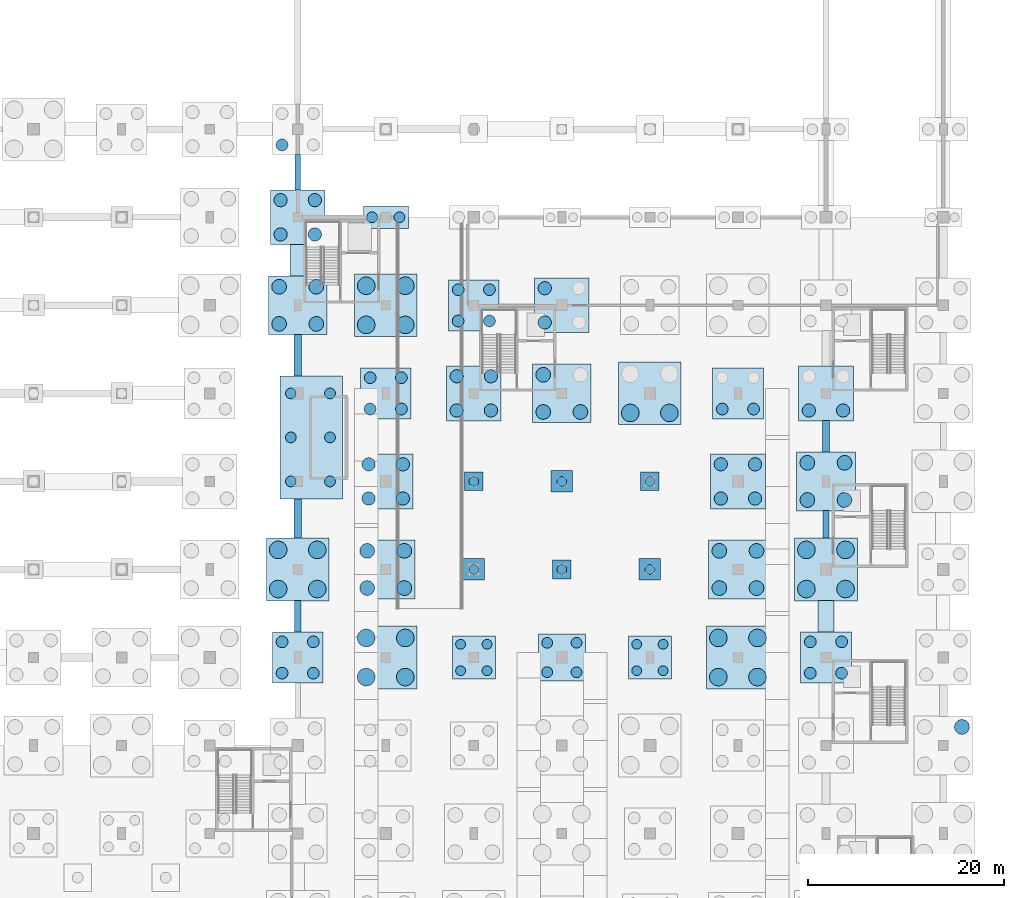
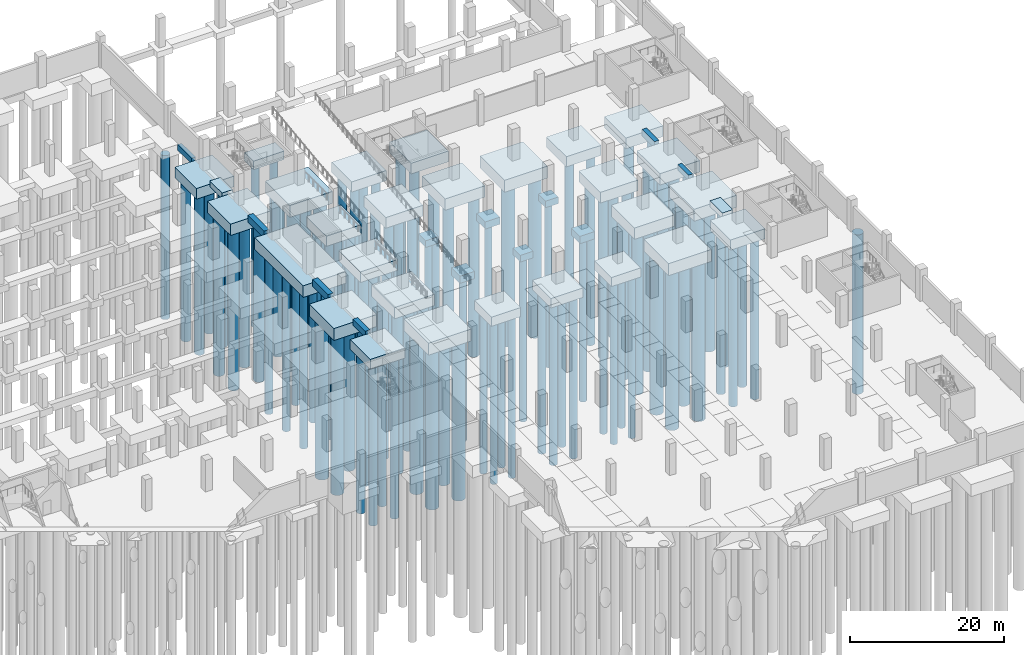
# One storey, part 9 of 37: 107 piles, 41 footings.
"""IFC4 building model written with IfcOpenShell, lengths in metres."""

from ifc_helpers import new_model, si_unit, direction, frame, origin, origin_2d, place, context, subcontext, project, spatial, rectangle, circle, extrude, material, material_profile, profile_set, type_object, element, save


model = new_model("IFC4")

# Units and contexts
model_context = context("Model", 3, precision=1e-05, world=origin(), true_north=direction((0.0, 1.0)))
body_context = subcontext(model_context, "Body", "Model", "MODEL_VIEW")
ifc_project = project(units=[si_unit("LENGTHUNIT", "METRE"), si_unit("AREAUNIT", "SQUARE_METRE"), si_unit("VOLUMEUNIT", "CUBIC_METRE"), si_unit("PLANEANGLEUNIT", "RADIAN"), si_unit("MASSUNIT", "GRAM", prefix="KILO")], contexts=[model_context])

# Site, building, storey
site_placement = place(None, origin())
site = spatial("IfcSite", under=ifc_project, at=site_placement, CompositionType="ELEMENT")
building_placement = place(site_placement, origin())
building = spatial("IfcBuilding", under=site, at=building_placement, Name="Barlavento Convention Centre", CompositionType="ELEMENT")
storey_placement = place(building_placement, frame((0.0, 0.0, -5.0)))
storey = spatial("IfcBuildingStorey", under=building, at=storey_placement, Name="B1", CompositionType="ELEMENT", Elevation=-5.0)

# Footings
ifc_material = material(Name="Concrete C40/50", Category="concrete")
footing_type_1 = type_object("IfcFootingType", Name="STR-FND-CORE-COMB", PredefinedType="PILE_CAP", material=ifc_material)
footing_1_placement = place(storey_placement, frame((127.39990234375, 85.5, -2.3701171875), z_axis=(0.0, 0.0, 1.0), x_axis=(1.0, 0.0, 0.0)))
element("IfcFooting", 1, at=footing_1_placement, inside=storey, type_object=footing_type_1, Name="Combined core and column foundation mat FND-CORE-C12", PredefinedType="PILE_CAP", context=body_context, shape_type="SweptSolid", body=[
    extrude(rectangle(XDim=6.39990234375, YDim=12.60009765625, at=origin_2d()), origin(), (0.0, 0.0, 1.0), 1.85009765625),
])
footing_type_2 = type_object("IfcFootingType", Name="STR-FND-GB-600X900", PredefinedType="FOOTING_BEAM", material=ifc_material)
footing_2_placement = place(storey_placement, frame((126.0, 112.60009765625, -0.89990234375), z_axis=(0.0, 0.0, 1.0), x_axis=(1.0, 0.0, 0.0)))
element("IfcFooting", 2, at=footing_2_placement, inside=storey, type_object=footing_type_2, Name="Ground tie footing GB01", PredefinedType="FOOTING_BEAM", context=body_context, shape_type="SweptSolid", body=[
    extrude(rectangle(XDim=0.60009765625, YDim=3.610107421875, at=origin_2d()), origin(), (0.0, 0.0, 1.0), 0.89990234375),
])
footing_3_placement = place(storey_placement, frame((180.0, 76.60009765625, -0.89990234375), z_axis=(0.0, 0.0, 1.0), x_axis=(1.0, 0.0, 0.0)))
element("IfcFooting", 3, at=footing_3_placement, inside=storey, type_object=footing_type_2, Name="Ground tie footing GB01", PredefinedType="FOOTING_BEAM", context=body_context, shape_type="SweptSolid", body=[
    extrude(rectangle(XDim=0.60009765625, YDim=2.81005859375, at=origin_2d()), origin(), (0.0, 0.0, 1.0), 0.89990234375),
])
footing_type_3 = type_object("IfcFootingType", Name="STR-FND-GB-700X1000", PredefinedType="FOOTING_BEAM", material=ifc_material)
for number, where, z_axis, x_axis, name in (
    (4, (126.0, 67.199951171875, -1.0), (0.0, 0.0, 1.0), (1.0, 0.0, 0.0), "Ground tie footing GB02"),
    (5, (180.0, 85.60009765625, -1.0), (0.0, 0.0, 1.0), (1.0, 0.0, 0.0), "Ground tie footing GB02"),
):
    element("IfcFooting", number, at=place(storey_placement, frame(where, z_axis=z_axis, x_axis=x_axis)), inside=storey, type_object=footing_type_3, Name=name, PredefinedType="FOOTING_BEAM", context=body_context, shape_type="SweptSolid", body=[
        extrude(rectangle(XDim=0.699951171875, YDim=3.2099609375, at=origin_2d()), origin(), (0.0, 0.0, 1.0), 1.0),
    ])
footing_type_4 = type_object("IfcFootingType", Name="STR-FND-GB-800X1100", PredefinedType="FOOTING_BEAM", material=ifc_material)
footing_4_placement = place(storey_placement, frame((126.0, 77.197509765625, -1.10009765625), z_axis=(0.0, 0.0, 1.0), x_axis=(1.0, 0.0, 0.0)))
element("IfcFooting", 6, at=footing_4_placement, inside=storey, type_object=footing_type_4, Name="Ground tie footing GB03", PredefinedType="FOOTING_BEAM", context=body_context, shape_type="SweptSolid", body=[
    extrude(rectangle(XDim=0.800048828125, YDim=4.0048828125, at=origin_2d()), origin(), (0.0, 0.0, 1.0), 1.10009765625),
])
footing_5_placement = place(storey_placement, frame((126.0, 93.902587890625, -1.10009765625), z_axis=(0.0, 0.0, 1.0), x_axis=(1.0, 0.0, 0.0)))
element("IfcFooting", 7, at=footing_5_placement, inside=storey, type_object=footing_type_4, Name="Ground tie footing GB03", PredefinedType="FOOTING_BEAM", context=body_context, shape_type="SweptSolid", body=[
    extrude(rectangle(XDim=0.800048828125, YDim=4.205078125, at=origin_2d()), origin(), (0.0, 0.0, 1.0), 1.10009765625),
])
footing_type_5 = type_object("IfcFootingType", Name="STR-FND-PC1-1900", PredefinedType="PILE_CAP", material=ifc_material)
for number, where, z_axis, x_axis, name in (
    (8, (144.0, 81.0, -1.56982421875), (0.0, 0.0, 1.0), (1.0, 0.0, 0.0), "Pile cap PC01 at 17-K"),
    (9, (153.0, 72.0, -1.56982421875), (0.0, 0.0, 1.0), (1.0, 0.0, 0.0), "Pile cap PC01 at 18-J"),
    (10, (162.0, 81.0, -1.56982421875), (0.0, 0.0, 1.0), (1.0, 0.0, 0.0), "Pile cap PC01 at 19-K"),
):
    element("IfcFooting", number, at=place(storey_placement, frame(where, z_axis=z_axis, x_axis=x_axis)), inside=storey, type_object=footing_type_5, Name=name, PredefinedType="PILE_CAP", context=body_context, shape_type="SweptSolid", body=[
        extrude(rectangle(XDim=1.89990234375, YDim=1.89990234375, at=origin_2d()), origin(), (0.0, 0.0, 1.0), 1.050048828125),
    ])
footing_type_6 = type_object("IfcFootingType", Name="STR-FND-PC1-2200", PredefinedType="PILE_CAP", material=ifc_material)
for number, where, z_axis, x_axis, name in (
    (11, (144.0, 72.0, -1.669921875), (0.0, 0.0, 1.0), (1.0, 0.0, 0.0), "Pile cap PC02 at 17-J"),
    (12, (153.0, 81.0, -1.669921875), (0.0, 0.0, 1.0), (1.0, 0.0, 0.0), "Pile cap PC02 at 18-K"),
    (13, (162.0, 72.0, -1.669921875), (0.0, 0.0, 1.0), (1.0, 0.0, 0.0), "Pile cap PC02 at 19-J"),
):
    element("IfcFooting", number, at=place(storey_placement, frame(where, z_axis=z_axis, x_axis=x_axis)), inside=storey, type_object=footing_type_6, Name=name, PredefinedType="PILE_CAP", context=body_context, shape_type="SweptSolid", body=[
        extrude(rectangle(XDim=2.199951171875, YDim=2.199951171875, at=origin_2d()), origin(), (0.0, 0.0, 1.0), 1.14990234375),
    ])
footing_type_7 = type_object("IfcFootingType", Name="STR-FND-PC2-4600X2300", PredefinedType="PILE_CAP", material=ifc_material)
footing_6_placement = place(storey_placement, frame((135.0, 108.0, -1.8701171875), z_axis=(0.0, 0.0, 1.0), x_axis=(1.0, 0.0, 0.0)))
element("IfcFooting", 14, at=footing_6_placement, inside=storey, type_object=footing_type_7, Name="Pile cap PC05 at 16-N", PredefinedType="PILE_CAP", context=body_context, shape_type="SweptSolid", body=[
    extrude(rectangle(XDim=4.60009765625, YDim=2.300048828125, at=origin_2d()), origin(), (0.0, 0.0, 1.0), 1.35009765625),
])
footing_type_8 = type_object("IfcFootingType", Name="STR-FND-PC4-4400", PredefinedType="PILE_CAP", material=ifc_material)
for number, where, z_axis, x_axis, name in (
    (15, (144.0, 63.0, -1.97021484375), (0.0, 0.0, 1.0), (1.0, 0.0, 0.0), "Pile cap PC07 at 17-H"),
    (16, (162.0, 63.0, -1.97021484375), (0.0, 0.0, 1.0), (1.0, 0.0, 0.0), "Pile cap PC07 at 19-H"),
):
    element("IfcFooting", number, at=place(storey_placement, frame(where, z_axis=z_axis, x_axis=x_axis)), inside=storey, type_object=footing_type_8, Name=name, PredefinedType="PILE_CAP", context=body_context, shape_type="SweptSolid", body=[
        extrude(rectangle(XDim=4.39990234375, YDim=4.39990234375, at=origin_2d()), origin(), (0.0, 0.0, 1.0), 1.449951171875),
    ])
footing_type_9 = type_object("IfcFootingType", Name="STR-FND-PC4-4800", PredefinedType="PILE_CAP", material=ifc_material)
footing_7_placement = place(storey_placement, frame((153.0, 63.0, -2.02001953125), z_axis=(0.0, 0.0, 1.0), x_axis=(1.0, 0.0, 0.0)))
element("IfcFooting", 17, at=footing_7_placement, inside=storey, type_object=footing_type_9, Name="Pile cap PC08 at 18-H", PredefinedType="PILE_CAP", context=body_context, shape_type="SweptSolid", body=[
    extrude(rectangle(XDim=4.800048828125, YDim=4.800048828125, at=origin_2d()), origin(), (0.0, 0.0, 1.0), 1.5),
])
footing_type_10 = type_object("IfcFootingType", Name="STR-FND-PC4-5200", PredefinedType="PILE_CAP", material=ifc_material)
for number, where, z_axis, x_axis, name in (
    (18, (126.0, 63.0, -2.1201171875), (0.0, 0.0, 1.0), (1.0, 0.0, 0.0), "Pile cap PC09 at 15-H"),
    (19, (135.0, 90.0, -2.1201171875), (0.0, 0.0, 1.0), (1.0, 0.0, 0.0), "Pile cap PC09 at 16-L"),
    (20, (144.0, 99.0, -2.1201171875), (0.0, 0.0, 1.0), (1.0, 0.0, 0.0), "Pile cap PC09 at 17-M"),
    (21, (171.0, 90.0, -2.1201171875), (0.0, 0.0, 1.0), (1.0, 0.0, 0.0), "Pile cap PC09 at 20-L"),
    (22, (180.0, 63.0, -2.1201171875), (0.0, 0.0, 1.0), (1.0, 0.0, 0.0), "Pile cap PC09 at 21-H"),
):
    element("IfcFooting", number, at=place(storey_placement, frame(where, z_axis=z_axis, x_axis=x_axis)), inside=storey, type_object=footing_type_10, Name=name, PredefinedType="PILE_CAP", context=body_context, shape_type="SweptSolid", body=[
        extrude(rectangle(XDim=5.199951171875, YDim=5.199951171875, at=origin_2d()), origin(), (0.0, 0.0, 1.0), 1.60009765625),
    ])
footing_type_11 = type_object("IfcFootingType", Name="STR-FND-PC4-5600", PredefinedType="PILE_CAP", material=ifc_material)
for number, where, z_axis, x_axis, name in (
    (23, (126.0, 108.0, -2.22021484375), (0.0, 0.0, 1.0), (1.0, 0.0, 0.0), "Pile cap PC10 at 15-N"),
    (24, (135.0, 81.0, -2.22021484375), (0.0, 0.0, 1.0), (1.0, 0.0, 0.0), "Pile cap PC10 at 16-K"),
    (25, (144.0, 90.0, -2.22021484375), (0.0, 0.0, 1.0), (1.0, 0.0, 0.0), "Pile cap PC10 at 17-L"),
    (26, (153.0, 99.0, -2.22021484375), (0.0, 0.0, 1.0), (1.0, 0.0, 0.0), "Pile cap PC10 at 18-M"),
    (27, (171.0, 81.0, -2.22021484375), (0.0, 0.0, 1.0), (1.0, 0.0, 0.0), "Pile cap PC10 at 20-K"),
    (28, (180.0, 90.0, -2.22021484375), (0.0, 0.0, 1.0), (1.0, 0.0, 0.0), "Pile cap PC10 at 21-L"),
):
    element("IfcFooting", number, at=place(storey_placement, frame(where, z_axis=z_axis, x_axis=x_axis)), inside=storey, type_object=footing_type_11, Name=name, PredefinedType="PILE_CAP", context=body_context, shape_type="SweptSolid", body=[
        extrude(rectangle(XDim=5.60009765625, YDim=5.60009765625, at=origin_2d()), origin(), (0.0, 0.0, 1.0), 1.699951171875),
    ])
footing_type_12 = type_object("IfcFootingType", Name="STR-FND-PC4-6000", PredefinedType="PILE_CAP", material=ifc_material)
for number, where, z_axis, x_axis, name in (
    (29, (126.0, 99.0, -2.31982421875), (0.0, 0.0, 1.0), (1.0, 0.0, 0.0), "Pile cap PC11 at 15-M"),
    (30, (135.0, 72.0, -2.31982421875), (0.0, 0.0, 1.0), (1.0, 0.0, 0.0), "Pile cap PC11 at 16-J"),
    (31, (153.0, 90.0, -2.31982421875), (0.0, 0.0, 1.0), (1.0, 0.0, 0.0), "Pile cap PC11 at 18-L"),
    (32, (171.0, 72.0, -2.31982421875), (0.0, 0.0, 1.0), (1.0, 0.0, 0.0), "Pile cap PC11 at 20-J"),
    (33, (180.0, 81.0, -2.31982421875), (0.0, 0.0, 1.0), (1.0, 0.0, 0.0), "Pile cap PC11 at 21-K"),
):
    element("IfcFooting", number, at=place(storey_placement, frame(where, z_axis=z_axis, x_axis=x_axis)), inside=storey, type_object=footing_type_12, Name=name, PredefinedType="PILE_CAP", context=body_context, shape_type="SweptSolid", body=[
        extrude(rectangle(XDim=6.0, YDim=6.0, at=origin_2d()), origin(), (0.0, 0.0, 1.0), 1.800048828125),
    ])
footing_type_13 = type_object("IfcFootingType", Name="STR-FND-PC4-6400", PredefinedType="PILE_CAP", material=ifc_material)
for number, where, z_axis, x_axis, name in (
    (34, (126.0, 72.0, -2.419921875), (0.0, 0.0, 1.0), (1.0, 0.0, 0.0), "Pile cap PC12 at 15-J"),
    (35, (135.0, 63.0, -2.419921875), (0.0, 0.0, 1.0), (1.0, 0.0, 0.0), "Pile cap PC12 at 16-H"),
    (36, (135.0, 99.0, -2.419921875), (0.0, 0.0, 1.0), (1.0, 0.0, 0.0), "Pile cap PC12 at 16-M"),
    (37, (162.0, 90.0, -2.419921875), (0.0, 0.0, 1.0), (1.0, 0.0, 0.0), "Pile cap PC12 at 19-L"),
    (38, (171.0, 63.0, -2.419921875), (0.0, 0.0, 1.0), (1.0, 0.0, 0.0), "Pile cap PC12 at 20-H"),
    (39, (180.0, 72.0, -2.419921875), (0.0, 0.0, 1.0), (1.0, 0.0, 0.0), "Pile cap PC12 at 21-J"),
):
    element("IfcFooting", number, at=place(storey_placement, frame(where, z_axis=z_axis, x_axis=x_axis)), inside=storey, type_object=footing_type_13, Name=name, PredefinedType="PILE_CAP", context=body_context, shape_type="SweptSolid", body=[
        extrude(rectangle(XDim=6.39990234375, YDim=6.39990234375, at=origin_2d()), origin(), (0.0, 0.0, 1.0), 1.89990234375),
    ])
footing_type_14 = type_object("IfcFootingType", Name="STR-FND-SF-1600X900", PredefinedType="STRIP_FOOTING", material=ifc_material)
for number, where, z_axis, x_axis, name in (
    (40, (126.0, 103.60009765625, -0.89990234375), (0.0, 0.0, 1.0), (1.0, 0.0, 0.0), "Ground tie footing SF02"),
    (41, (180.0, 67.199951171875, -0.89990234375), (0.0, 0.0, 1.0), (1.0, 0.0, 0.0), "Ground tie footing SF02"),
):
    element("IfcFooting", number, at=place(storey_placement, frame(where, z_axis=z_axis, x_axis=x_axis)), inside=storey, type_object=footing_type_14, Name=name, PredefinedType="STRIP_FOOTING", context=body_context, shape_type="SweptSolid", body=[
        extrude(rectangle(XDim=1.60009765625, YDim=3.2099609375, at=origin_2d()), origin(), (0.0, 0.0, 1.0), 0.89990234375),
    ])

# Piles
ifc_material_profile_1 = material_profile(ifc_material, circle(Radius=0.5, at=origin_2d()), Name="BORED PILE 1000")
ifc_profile_set_1 = profile_set([ifc_material_profile_1], Name="Concrete C40/50")
pile_type_1 = type_object("IfcPileType", Name="STR-PIL-B1000", PredefinedType="BORED", material=ifc_profile_set_1)
for number, where, z_axis, x_axis, name in (
    (42, (142.64990234375, 61.64990234375, -1.8701171875), (0.0, 0.0, -1.0), (1.0, 0.0, 0.0), "Bored pile P10 under FND-CAP-0219"),
    (43, (145.35009765625, 61.64990234375, -1.8701171875), (0.0, 0.0, -1.0), (1.0, 0.0, 0.0), "Bored pile P10 under FND-CAP-0219"),
    (44, (142.64990234375, 64.35009765625, -1.8701171875), (0.0, 0.0, -1.0), (1.0, 0.0, 0.0), "Bored pile P10 under FND-CAP-0219"),
    (45, (145.35009765625, 64.35009765625, -1.8701171875), (0.0, 0.0, -1.0), (1.0, 0.0, 0.0), "Bored pile P10 under FND-CAP-0219"),
):
    element("IfcPile", number, at=place(storey_placement, frame(where, z_axis=z_axis, x_axis=x_axis)), inside=storey, type_object=pile_type_1, Name=name, PredefinedType="BORED", context=body_context, shape_type="SweptSolid", body=[
        extrude(circle(Radius=0.5, at=origin_2d()), origin(), (0.0, 0.0, 1.0), 25.6298828125),
    ])
pile_1_placement = place(storey_placement, frame((144.0, 72.0, -1.570068359375), z_axis=(0.0, 0.0, -1.0), x_axis=(1.0, 0.0, 0.0)))
element("IfcPile", 46, at=pile_1_placement, inside=storey, type_object=pile_type_1, Name="Bored pile P10 under FND-CAP-0220", PredefinedType="BORED", context=body_context, shape_type="SweptSolid", body=[
    extrude(circle(Radius=0.5, at=origin_2d()), origin(), (0.0, 0.0, 1.0), 25.929931640625),
])
for number, where, z_axis, x_axis, name in (
    (47, (144.0, 81.0, -1.469970703125), (0.0, 0.0, -1.0), (1.0, 0.0, 0.0), "Bored pile P10 under FND-CAP-0221"),
    (48, (153.0, 72.0, -1.469970703125), (0.0, 0.0, -1.0), (1.0, 0.0, 0.0), "Bored pile P10 under FND-CAP-0235"),
):
    element("IfcPile", number, at=place(storey_placement, frame(where, z_axis=z_axis, x_axis=x_axis)), inside=storey, type_object=pile_type_1, Name=name, PredefinedType="BORED", context=body_context, shape_type="SweptSolid", body=[
        extrude(circle(Radius=0.5, at=origin_2d()), origin(), (0.0, 0.0, 1.0), 26.030029296875),
    ])
pile_2_placement = place(storey_placement, frame((153.0, 81.0, -1.570068359375), z_axis=(0.0, 0.0, -1.0), x_axis=(1.0, 0.0, 0.0)))
element("IfcPile", 49, at=pile_2_placement, inside=storey, type_object=pile_type_1, Name="Bored pile P10 under FND-CAP-0236", PredefinedType="BORED", context=body_context, shape_type="SweptSolid", body=[
    extrude(circle(Radius=0.5, at=origin_2d()), origin(), (0.0, 0.0, 1.0), 25.929931640625),
])
for number, where, z_axis, x_axis, name in (
    (50, (160.64990234375, 61.64990234375, -1.8701171875), (0.0, 0.0, -1.0), (1.0, 0.0, 0.0), "Bored pile P10 under FND-CAP-0249"),
    (51, (163.35009765625, 61.64990234375, -1.8701171875), (0.0, 0.0, -1.0), (1.0, 0.0, 0.0), "Bored pile P10 under FND-CAP-0249"),
    (52, (160.64990234375, 64.35009765625, -1.8701171875), (0.0, 0.0, -1.0), (1.0, 0.0, 0.0), "Bored pile P10 under FND-CAP-0249"),
    (53, (163.35009765625, 64.35009765625, -1.8701171875), (0.0, 0.0, -1.0), (1.0, 0.0, 0.0), "Bored pile P10 under FND-CAP-0249"),
):
    element("IfcPile", number, at=place(storey_placement, frame(where, z_axis=z_axis, x_axis=x_axis)), inside=storey, type_object=pile_type_1, Name=name, PredefinedType="BORED", context=body_context, shape_type="SweptSolid", body=[
        extrude(circle(Radius=0.5, at=origin_2d()), origin(), (0.0, 0.0, 1.0), 25.6298828125),
    ])
pile_3_placement = place(storey_placement, frame((162.0, 72.0, -1.570068359375), z_axis=(0.0, 0.0, -1.0), x_axis=(1.0, 0.0, 0.0)))
element("IfcPile", 54, at=pile_3_placement, inside=storey, type_object=pile_type_1, Name="Bored pile P10 under FND-CAP-0250", PredefinedType="BORED", context=body_context, shape_type="SweptSolid", body=[
    extrude(circle(Radius=0.5, at=origin_2d()), origin(), (0.0, 0.0, 1.0), 25.929931640625),
])
pile_4_placement = place(storey_placement, frame((162.0, 81.0, -1.469970703125), z_axis=(0.0, 0.0, -1.0), x_axis=(1.0, 0.0, 0.0)))
element("IfcPile", 55, at=pile_4_placement, inside=storey, type_object=pile_type_1, Name="Bored pile P10 under FND-CAP-0251", PredefinedType="BORED", context=body_context, shape_type="SweptSolid", body=[
    extrude(circle(Radius=0.5, at=origin_2d()), origin(), (0.0, 0.0, 1.0), 26.030029296875),
])
ifc_material_profile_2 = material_profile(ifc_material, circle(Radius=0.550048828125, at=origin_2d()), Name="BORED PILE 1100")
ifc_profile_set_2 = profile_set([ifc_material_profile_2], Name="Concrete C40/50")
pile_type_2 = type_object("IfcPileType", Name="STR-PIL-B1100", PredefinedType="BORED", material=ifc_profile_set_2)
for number, where, z_axis, x_axis, name in (
    (56, (133.60009765625, 108.0, -1.77001953125), (0.0, 0.0, -1.0), (1.0, 0.0, 0.0), "Bored pile P11 under FND-CAP-0209"),
    (57, (136.39990234375, 108.0, -1.77001953125), (0.0, 0.0, -1.0), (1.0, 0.0, 0.0), "Bored pile P11 under FND-CAP-0209"),
):
    element("IfcPile", number, at=place(storey_placement, frame(where, z_axis=z_axis, x_axis=x_axis)), inside=storey, type_object=pile_type_2, Name=name, PredefinedType="BORED", context=body_context, shape_type="SweptSolid", body=[
        extrude(circle(Radius=0.550048828125, at=origin_2d()), origin(), (0.0, 0.0, 1.0), 25.72998046875),
    ])
for number, where, z_axis, x_axis, name in (
    (58, (151.5, 61.5, -1.919921875), (0.0, 0.0, -1.0), (1.0, 0.0, 0.0), "Bored pile P11 under FND-CAP-0234"),
    (59, (154.5, 61.5, -1.919921875), (0.0, 0.0, -1.0), (1.0, 0.0, 0.0), "Bored pile P11 under FND-CAP-0234"),
    (60, (151.5, 64.5, -1.919921875), (0.0, 0.0, -1.0), (1.0, 0.0, 0.0), "Bored pile P11 under FND-CAP-0234"),
    (61, (154.5, 64.5, -1.919921875), (0.0, 0.0, -1.0), (1.0, 0.0, 0.0), "Bored pile P11 under FND-CAP-0234"),
):
    element("IfcPile", number, at=place(storey_placement, frame(where, z_axis=z_axis, x_axis=x_axis)), inside=storey, type_object=pile_type_2, Name=name, PredefinedType="BORED", context=body_context, shape_type="SweptSolid", body=[
        extrude(circle(Radius=0.550048828125, at=origin_2d()), origin(), (0.0, 0.0, 1.0), 25.580078125),
    ])
for number, where, z_axis, x_axis, name in (
    (62, (125.300048828125, 81.0, -2.27001953125), (0.0, 0.0, -1.0), (1.0, 0.0, 0.0), "Core foundation bored pile PIL-P11-125300-81000"),
    (63, (129.300048828125, 81.0, -2.27001953125), (0.0, 0.0, -1.0), (1.0, 0.0, 0.0), "Core foundation bored pile PIL-P11-129300-81000"),
    (64, (125.300048828125, 85.5, -2.27001953125), (0.0, 0.0, -1.0), (1.0, 0.0, 0.0), "Core foundation bored pile PIL-P11-125300-85500"),
    (65, (129.300048828125, 85.5, -2.27001953125), (0.0, 0.0, -1.0), (1.0, 0.0, 0.0), "Core foundation bored pile PIL-P11-129300-85500"),
    (66, (125.300048828125, 90.0, -2.27001953125), (0.0, 0.0, -1.0), (1.0, 0.0, 0.0), "Core foundation bored pile PIL-P11-125300-90000"),
    (67, (129.300048828125, 90.0, -2.27001953125), (0.0, 0.0, -1.0), (1.0, 0.0, 0.0), "Core foundation bored pile PIL-P11-129300-90000"),
):
    element("IfcPile", number, at=place(storey_placement, frame(where, z_axis=z_axis, x_axis=x_axis)), inside=storey, type_object=pile_type_2, Name=name, PredefinedType="BORED", context=body_context, shape_type="SweptSolid", body=[
        extrude(circle(Radius=0.550048828125, at=origin_2d()), origin(), (0.0, 0.0, 1.0), 25.22998046875),
    ])
ifc_material_profile_3 = material_profile(ifc_material, circle(Radius=0.60009765625, at=origin_2d()), Name="BORED PILE 1200")
ifc_profile_set_3 = profile_set([ifc_material_profile_3], Name="Concrete C40/50")
pile_type_3 = type_object("IfcPileType", Name="STR-PIL-B1200", PredefinedType="BORED", material=ifc_profile_set_3)
for number, where, z_axis, x_axis, name in (
    (68, (124.39990234375, 61.39990234375, -2.02001953125), (0.0, 0.0, -1.0), (1.0, 0.0, 0.0), "Bored pile P12 under FND-CAP-0191"),
    (69, (127.60009765625, 61.39990234375, -2.02001953125), (0.0, 0.0, -1.0), (1.0, 0.0, 0.0), "Bored pile P12 under FND-CAP-0191"),
    (70, (124.39990234375, 64.60009765625, -2.02001953125), (0.0, 0.0, -1.0), (1.0, 0.0, 0.0), "Bored pile P12 under FND-CAP-0191"),
    (71, (127.60009765625, 64.60009765625, -2.02001953125), (0.0, 0.0, -1.0), (1.0, 0.0, 0.0), "Bored pile P12 under FND-CAP-0191"),
):
    element("IfcPile", number, at=place(storey_placement, frame(where, z_axis=z_axis, x_axis=x_axis)), inside=storey, type_object=pile_type_3, Name=name, PredefinedType="BORED", context=body_context, shape_type="SweptSolid", body=[
        extrude(circle(Radius=0.60009765625, at=origin_2d()), origin(), (0.0, 0.0, 1.0), 25.47998046875),
    ])
pile_5_placement = place(storey_placement, frame((124.39990234375, 115.39990234375, -1.5), z_axis=(0.0, 0.0, -1.0), x_axis=(1.0, 0.0, 0.0)))
element("IfcPile", 72, at=pile_5_placement, inside=storey, type_object=pile_type_3, Name="Bored pile P12 under FND-CAP-0195", PredefinedType="BORED", context=body_context, shape_type="SweptSolid", body=[
    extrude(circle(Radius=0.60009765625, at=origin_2d()), origin(), (0.0, 0.0, 1.0), 26.0),
])
for number, where, z_axis, x_axis, name in (
    (73, (133.39990234375, 88.39990234375, -2.02001953125), (0.0, 0.0, -1.0), (1.0, 0.0, 0.0), "Bored pile P12 under FND-CAP-0207"),
    (74, (136.60009765625, 88.39990234375, -2.02001953125), (0.0, 0.0, -1.0), (1.0, 0.0, 0.0), "Bored pile P12 under FND-CAP-0207"),
    (75, (133.39990234375, 91.60009765625, -2.02001953125), (0.0, 0.0, -1.0), (1.0, 0.0, 0.0), "Bored pile P12 under FND-CAP-0207"),
    (76, (136.60009765625, 91.60009765625, -2.02001953125), (0.0, 0.0, -1.0), (1.0, 0.0, 0.0), "Bored pile P12 under FND-CAP-0207"),
    (77, (142.39990234375, 97.39990234375, -2.02001953125), (0.0, 0.0, -1.0), (1.0, 0.0, 0.0), "Bored pile P12 under FND-CAP-0223"),
    (78, (145.60009765625, 97.39990234375, -2.02001953125), (0.0, 0.0, -1.0), (1.0, 0.0, 0.0), "Bored pile P12 under FND-CAP-0223"),
    (79, (142.39990234375, 100.60009765625, -2.02001953125), (0.0, 0.0, -1.0), (1.0, 0.0, 0.0), "Bored pile P12 under FND-CAP-0223"),
    (80, (145.60009765625, 100.60009765625, -2.02001953125), (0.0, 0.0, -1.0), (1.0, 0.0, 0.0), "Bored pile P12 under FND-CAP-0223"),
    (81, (169.39990234375, 88.39990234375, -2.02001953125), (0.0, 0.0, -1.0), (1.0, 0.0, 0.0), "Bored pile P12 under FND-CAP-0267"),
    (82, (172.60009765625, 88.39990234375, -2.02001953125), (0.0, 0.0, -1.0), (1.0, 0.0, 0.0), "Bored pile P12 under FND-CAP-0267"),
    (83, (178.39990234375, 61.39990234375, -2.02001953125), (0.0, 0.0, -1.0), (1.0, 0.0, 0.0), "Bored pile P12 under FND-CAP-0279"),
    (84, (181.60009765625, 61.39990234375, -2.02001953125), (0.0, 0.0, -1.0), (1.0, 0.0, 0.0), "Bored pile P12 under FND-CAP-0279"),
    (85, (178.39990234375, 64.60009765625, -2.02001953125), (0.0, 0.0, -1.0), (1.0, 0.0, 0.0), "Bored pile P12 under FND-CAP-0279"),
    (86, (181.60009765625, 64.60009765625, -2.02001953125), (0.0, 0.0, -1.0), (1.0, 0.0, 0.0), "Bored pile P12 under FND-CAP-0279"),
):
    element("IfcPile", number, at=place(storey_placement, frame(where, z_axis=z_axis, x_axis=x_axis)), inside=storey, type_object=pile_type_3, Name=name, PredefinedType="BORED", context=body_context, shape_type="SweptSolid", body=[
        extrude(circle(Radius=0.60009765625, at=origin_2d()), origin(), (0.0, 0.0, 1.0), 25.47998046875),
    ])
ifc_material_profile_4 = material_profile(ifc_material, circle(Radius=0.675048828125, at=origin_2d()), Name="BORED PILE 1350")
ifc_profile_set_4 = profile_set([ifc_material_profile_4], Name="Concrete C40/50")
pile_type_4 = type_object("IfcPileType", Name="STR-PIL-B1350", PredefinedType="BORED", material=ifc_profile_set_4)
for number, where, z_axis, x_axis, name in (
    (87, (124.25, 106.25, -2.1201171875), (0.0, 0.0, -1.0), (1.0, 0.0, 0.0), "Bored pile P13 under FND-CAP-0194"),
    (88, (127.75, 106.25, -2.1201171875), (0.0, 0.0, -1.0), (1.0, 0.0, 0.0), "Bored pile P13 under FND-CAP-0194"),
    (89, (124.25, 109.75, -2.1201171875), (0.0, 0.0, -1.0), (1.0, 0.0, 0.0), "Bored pile P13 under FND-CAP-0194"),
    (90, (127.75, 109.75, -2.1201171875), (0.0, 0.0, -1.0), (1.0, 0.0, 0.0), "Bored pile P13 under FND-CAP-0194"),
    (91, (133.25, 79.25, -2.1201171875), (0.0, 0.0, -1.0), (1.0, 0.0, 0.0), "Bored pile P13 under FND-CAP-0206"),
    (92, (136.75, 79.25, -2.1201171875), (0.0, 0.0, -1.0), (1.0, 0.0, 0.0), "Bored pile P13 under FND-CAP-0206"),
    (93, (133.25, 82.75, -2.1201171875), (0.0, 0.0, -1.0), (1.0, 0.0, 0.0), "Bored pile P13 under FND-CAP-0206"),
    (94, (136.75, 82.75, -2.1201171875), (0.0, 0.0, -1.0), (1.0, 0.0, 0.0), "Bored pile P13 under FND-CAP-0206"),
    (95, (142.25, 88.25, -2.1201171875), (0.0, 0.0, -1.0), (1.0, 0.0, 0.0), "Bored pile P13 under FND-CAP-0222"),
    (96, (145.75, 88.25, -2.1201171875), (0.0, 0.0, -1.0), (1.0, 0.0, 0.0), "Bored pile P13 under FND-CAP-0222"),
    (97, (142.25, 91.75, -2.1201171875), (0.0, 0.0, -1.0), (1.0, 0.0, 0.0), "Bored pile P13 under FND-CAP-0222"),
    (98, (145.75, 91.75, -2.1201171875), (0.0, 0.0, -1.0), (1.0, 0.0, 0.0), "Bored pile P13 under FND-CAP-0222"),
    (99, (151.25, 97.25, -2.1201171875), (0.0, 0.0, -1.0), (1.0, 0.0, 0.0), "Bored pile P13 under FND-CAP-0238"),
    (100, (151.25, 100.75, -2.1201171875), (0.0, 0.0, -1.0), (1.0, 0.0, 0.0), "Bored pile P13 under FND-CAP-0238"),
    (101, (169.25, 79.25, -2.1201171875), (0.0, 0.0, -1.0), (1.0, 0.0, 0.0), "Bored pile P13 under FND-CAP-0266"),
    (102, (172.75, 79.25, -2.1201171875), (0.0, 0.0, -1.0), (1.0, 0.0, 0.0), "Bored pile P13 under FND-CAP-0266"),
    (103, (169.25, 82.75, -2.1201171875), (0.0, 0.0, -1.0), (1.0, 0.0, 0.0), "Bored pile P13 under FND-CAP-0266"),
    (104, (172.75, 82.75, -2.1201171875), (0.0, 0.0, -1.0), (1.0, 0.0, 0.0), "Bored pile P13 under FND-CAP-0266"),
    (105, (178.25, 88.25, -2.1201171875), (0.0, 0.0, -1.0), (1.0, 0.0, 0.0), "Bored pile P13 under FND-CAP-0282"),
    (106, (181.75, 88.25, -2.1201171875), (0.0, 0.0, -1.0), (1.0, 0.0, 0.0), "Bored pile P13 under FND-CAP-0282"),
):
    element("IfcPile", number, at=place(storey_placement, frame(where, z_axis=z_axis, x_axis=x_axis)), inside=storey, type_object=pile_type_4, Name=name, PredefinedType="BORED", context=body_context, shape_type="SweptSolid", body=[
        extrude(circle(Radius=0.675048828125, at=origin_2d()), origin(), (0.0, 0.0, 1.0), 25.3798828125),
    ])
ifc_material_profile_5 = material_profile(ifc_material, circle(Radius=0.75, at=origin_2d()), Name="BORED PILE 1500")
ifc_profile_set_5 = profile_set([ifc_material_profile_5], Name="Concrete C40/50")
pile_type_5 = type_object("IfcPileType", Name="STR-PIL-B1500", PredefinedType="BORED", material=ifc_profile_set_5)
for number, where, z_axis, x_axis, name in (
    (107, (124.10009765625, 97.10009765625, -2.219970703125), (0.0, 0.0, -1.0), (1.0, 0.0, 0.0), "Bored pile P15 under FND-CAP-0193"),
    (108, (127.89990234375, 97.10009765625, -2.219970703125), (0.0, 0.0, -1.0), (1.0, 0.0, 0.0), "Bored pile P15 under FND-CAP-0193"),
    (109, (124.10009765625, 100.89990234375, -2.219970703125), (0.0, 0.0, -1.0), (1.0, 0.0, 0.0), "Bored pile P15 under FND-CAP-0193"),
    (110, (127.89990234375, 100.89990234375, -2.219970703125), (0.0, 0.0, -1.0), (1.0, 0.0, 0.0), "Bored pile P15 under FND-CAP-0193"),
    (111, (133.10009765625, 70.10009765625, -2.219970703125), (0.0, 0.0, -1.0), (1.0, 0.0, 0.0), "Bored pile P15 under FND-CAP-0205"),
    (112, (136.89990234375, 70.10009765625, -2.219970703125), (0.0, 0.0, -1.0), (1.0, 0.0, 0.0), "Bored pile P15 under FND-CAP-0205"),
    (113, (133.10009765625, 73.89990234375, -2.219970703125), (0.0, 0.0, -1.0), (1.0, 0.0, 0.0), "Bored pile P15 under FND-CAP-0205"),
    (114, (136.89990234375, 73.89990234375, -2.219970703125), (0.0, 0.0, -1.0), (1.0, 0.0, 0.0), "Bored pile P15 under FND-CAP-0205"),
    (115, (151.10009765625, 88.10009765625, -2.219970703125), (0.0, 0.0, -1.0), (1.0, 0.0, 0.0), "Bored pile P15 under FND-CAP-0237"),
    (116, (154.89990234375, 88.10009765625, -2.219970703125), (0.0, 0.0, -1.0), (1.0, 0.0, 0.0), "Bored pile P15 under FND-CAP-0237"),
    (117, (151.10009765625, 91.89990234375, -2.219970703125), (0.0, 0.0, -1.0), (1.0, 0.0, 0.0), "Bored pile P15 under FND-CAP-0237"),
    (118, (169.10009765625, 70.10009765625, -2.219970703125), (0.0, 0.0, -1.0), (1.0, 0.0, 0.0), "Bored pile P15 under FND-CAP-0265"),
    (119, (172.89990234375, 70.10009765625, -2.219970703125), (0.0, 0.0, -1.0), (1.0, 0.0, 0.0), "Bored pile P15 under FND-CAP-0265"),
    (120, (169.10009765625, 73.89990234375, -2.219970703125), (0.0, 0.0, -1.0), (1.0, 0.0, 0.0), "Bored pile P15 under FND-CAP-0265"),
    (121, (172.89990234375, 73.89990234375, -2.219970703125), (0.0, 0.0, -1.0), (1.0, 0.0, 0.0), "Bored pile P15 under FND-CAP-0265"),
    (122, (178.10009765625, 79.10009765625, -2.219970703125), (0.0, 0.0, -1.0), (1.0, 0.0, 0.0), "Bored pile P15 under FND-CAP-0281"),
    (123, (181.89990234375, 79.10009765625, -2.219970703125), (0.0, 0.0, -1.0), (1.0, 0.0, 0.0), "Bored pile P15 under FND-CAP-0281"),
    (124, (178.10009765625, 82.89990234375, -2.219970703125), (0.0, 0.0, -1.0), (1.0, 0.0, 0.0), "Bored pile P15 under FND-CAP-0281"),
    (125, (181.89990234375, 82.89990234375, -2.219970703125), (0.0, 0.0, -1.0), (1.0, 0.0, 0.0), "Bored pile P15 under FND-CAP-0281"),
    (126, (193.89990234375, 55.89990234375, -2.219970703125), (0.0, 0.0, -1.0), (1.0, 0.0, 0.0), "Bored pile P15 under FND-CAP-0293"),
):
    element("IfcPile", number, at=place(storey_placement, frame(where, z_axis=z_axis, x_axis=x_axis)), inside=storey, type_object=pile_type_5, Name=name, PredefinedType="BORED", context=body_context, shape_type="SweptSolid", body=[
        extrude(circle(Radius=0.75, at=origin_2d()), origin(), (0.0, 0.0, 1.0), 25.280029296875),
    ])
ifc_material_profile_6 = material_profile(ifc_material, circle(Radius=0.89990234375, at=origin_2d()), Name="BORED PILE 1800")
ifc_profile_set_6 = profile_set([ifc_material_profile_6], Name="Concrete C40/50")
pile_type_6 = type_object("IfcPileType", Name="STR-PIL-B1800", PredefinedType="BORED", material=ifc_profile_set_6)
for number, where, z_axis, x_axis, name in (
    (127, (124.0, 70.0, -2.320068359375), (0.0, 0.0, -1.0), (1.0, 0.0, 0.0), "Bored pile P18 under FND-CAP-0192"),
    (128, (128.0, 70.0, -2.320068359375), (0.0, 0.0, -1.0), (1.0, 0.0, 0.0), "Bored pile P18 under FND-CAP-0192"),
    (129, (124.0, 74.0, -2.320068359375), (0.0, 0.0, -1.0), (1.0, 0.0, 0.0), "Bored pile P18 under FND-CAP-0192"),
    (130, (128.0, 74.0, -2.320068359375), (0.0, 0.0, -1.0), (1.0, 0.0, 0.0), "Bored pile P18 under FND-CAP-0192"),
    (131, (133.0, 61.0, -2.320068359375), (0.0, 0.0, -1.0), (1.0, 0.0, 0.0), "Bored pile P18 under FND-CAP-0204"),
    (132, (137.0, 61.0, -2.320068359375), (0.0, 0.0, -1.0), (1.0, 0.0, 0.0), "Bored pile P18 under FND-CAP-0204"),
    (133, (133.0, 65.0, -2.320068359375), (0.0, 0.0, -1.0), (1.0, 0.0, 0.0), "Bored pile P18 under FND-CAP-0204"),
    (134, (137.0, 65.0, -2.320068359375), (0.0, 0.0, -1.0), (1.0, 0.0, 0.0), "Bored pile P18 under FND-CAP-0204"),
    (135, (133.0, 97.0, -2.320068359375), (0.0, 0.0, -1.0), (1.0, 0.0, 0.0), "Bored pile P18 under FND-CAP-0208"),
    (136, (137.0, 97.0, -2.320068359375), (0.0, 0.0, -1.0), (1.0, 0.0, 0.0), "Bored pile P18 under FND-CAP-0208"),
    (137, (133.0, 101.0, -2.320068359375), (0.0, 0.0, -1.0), (1.0, 0.0, 0.0), "Bored pile P18 under FND-CAP-0208"),
    (138, (137.0, 101.0, -2.320068359375), (0.0, 0.0, -1.0), (1.0, 0.0, 0.0), "Bored pile P18 under FND-CAP-0208"),
    (139, (160.0, 88.0, -2.320068359375), (0.0, 0.0, -1.0), (1.0, 0.0, 0.0), "Bored pile P18 under FND-CAP-0252"),
    (140, (164.0, 88.0, -2.320068359375), (0.0, 0.0, -1.0), (1.0, 0.0, 0.0), "Bored pile P18 under FND-CAP-0252"),
    (141, (169.0, 61.0, -2.320068359375), (0.0, 0.0, -1.0), (1.0, 0.0, 0.0), "Bored pile P18 under FND-CAP-0264"),
    (142, (173.0, 61.0, -2.320068359375), (0.0, 0.0, -1.0), (1.0, 0.0, 0.0), "Bored pile P18 under FND-CAP-0264"),
    (143, (169.0, 65.0, -2.320068359375), (0.0, 0.0, -1.0), (1.0, 0.0, 0.0), "Bored pile P18 under FND-CAP-0264"),
    (144, (173.0, 65.0, -2.320068359375), (0.0, 0.0, -1.0), (1.0, 0.0, 0.0), "Bored pile P18 under FND-CAP-0264"),
    (145, (178.0, 70.0, -2.320068359375), (0.0, 0.0, -1.0), (1.0, 0.0, 0.0), "Bored pile P18 under FND-CAP-0280"),
    (146, (182.0, 70.0, -2.320068359375), (0.0, 0.0, -1.0), (1.0, 0.0, 0.0), "Bored pile P18 under FND-CAP-0280"),
    (147, (178.0, 74.0, -2.320068359375), (0.0, 0.0, -1.0), (1.0, 0.0, 0.0), "Bored pile P18 under FND-CAP-0280"),
    (148, (182.0, 74.0, -2.320068359375), (0.0, 0.0, -1.0), (1.0, 0.0, 0.0), "Bored pile P18 under FND-CAP-0280"),
):
    element("IfcPile", number, at=place(storey_placement, frame(where, z_axis=z_axis, x_axis=x_axis)), inside=storey, type_object=pile_type_6, Name=name, PredefinedType="BORED", context=body_context, shape_type="SweptSolid", body=[
        extrude(circle(Radius=0.89990234375, at=origin_2d()), origin(), (0.0, 0.0, 1.0), 25.179931640625),
    ])

save(model, "model.ifc")
